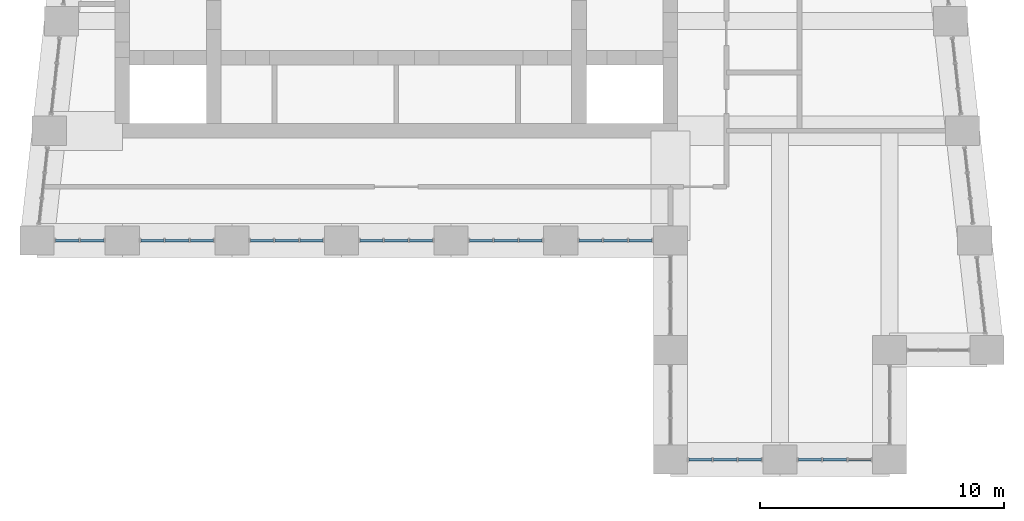
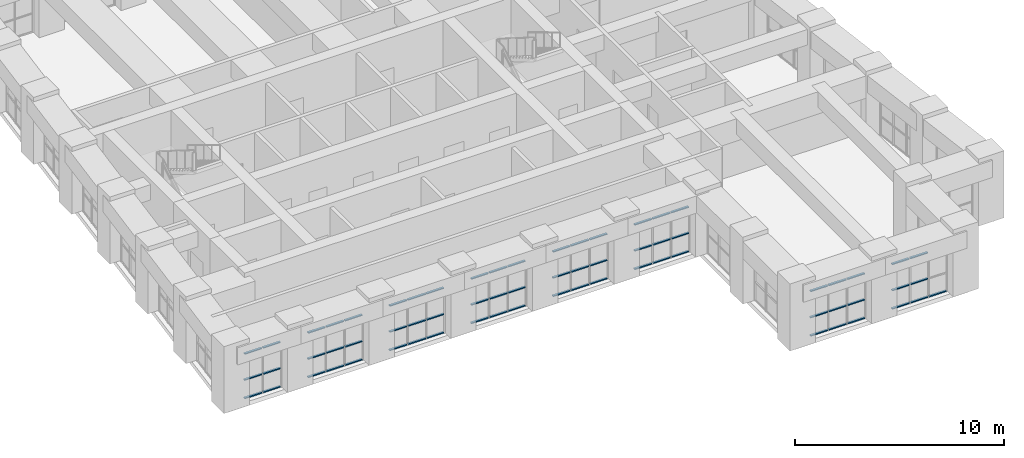
# One storey, part 10 of 18: 67 members, 8 elements without a shape of their own.
"""IFC4 building model written with IfcOpenShell, lengths in metres."""

from ifc_helpers import new_model, si_unit, direction, frame, origin, origin_2d, place, context, subcontext, project, spatial, rectangle, extrude, material, material_profile, profile_set, type_object, element, aggregate, save


model = new_model("IFC4")

# Units and contexts
model_context = context("Model", 3, precision=1e-05, world=origin(), true_north=direction((0.0, 1.0)))
body_context = subcontext(model_context, "Body", "Model", "MODEL_VIEW")
ifc_project = project(units=[si_unit("LENGTHUNIT", "METRE"), si_unit("AREAUNIT", "SQUARE_METRE"), si_unit("VOLUMEUNIT", "CUBIC_METRE"), si_unit("PLANEANGLEUNIT", "RADIAN"), si_unit("MASSUNIT", "GRAM", prefix="KILO")], contexts=[model_context])

# Site, building, storey
site_placement = place(None, origin())
site = spatial("IfcSite", under=ifc_project, at=site_placement, CompositionType="ELEMENT")
building_placement = place(site_placement, origin())
building = spatial("IfcBuilding", under=site, at=building_placement, Name="Kilele Tower Hotel", CompositionType="ELEMENT")
storey_placement = place(building_placement, frame((0.0, 0.0, 281.89990234375)))
storey = spatial("IfcBuildingStorey", under=building, at=storey_placement, Name="L72", CompositionType="ELEMENT", Elevation=281.89990234375)

# Curtain wall, members
ifc_material_1 = material(Name="Aluminium curtain wall, clear double glazing", Category="aluminium")
curtain_wall_type = type_object("IfcCurtainWallType", Name="Sky restaurant curtain wall CW-5", PredefinedType="NOTDEFINED", material=ifc_material_1)
curtain_wall_1_placement = place(storey_placement, origin())
curtain_wall_1 = element("IfcCurtainWall", 1, at=curtain_wall_1_placement, inside=storey, type_object=curtain_wall_type, Name="Sky restaurant curtain wall CW-5 L72", PredefinedType="NOTDEFINED")
ifc_material_2 = material(Name="Aluminium EN AW-6063 T6", Category="aluminium")
ifc_material_profile = material_profile(ifc_material_2, rectangle(XDim=0.1201171875, YDim=0.06005859375, at=origin_2d()))
ifc_profile_set = profile_set([ifc_material_profile], Name="Aluminium EN AW-6063 T6")
member_type = type_object("IfcMemberType", Name="Transom 60x120 CW-5", PredefinedType="USERDEFINED", material=ifc_profile_set)
member_1_placement = place(storey_placement, frame((10.760009765625, 9.0, 0.030029296875), z_axis=(1.0, 0.0, 0.0), x_axis=(0.0, 1.0, 0.0)))
member_1 = element("IfcMember", 2, at=member_1_placement, type_object=member_type, Name="CW-5 transom 1.1", ObjectType="TRANSOM", PredefinedType="USERDEFINED", context=body_context, shape_type="SweptSolid", body=[
    extrude(rectangle(XDim=0.1201171875, YDim=0.06005859375, at=origin_2d()), origin(), (0.0, 0.0, 1.0), 0.9599609375),
])
member_2_placement = place(storey_placement, frame((10.760009765625, 9.0, 1.10009765625), z_axis=(1.0, 0.0, 0.0), x_axis=(0.0, 1.0, 0.0)))
member_2 = element("IfcMember", 3, at=member_2_placement, type_object=member_type, Name="CW-5 transom 1.2", ObjectType="TRANSOM", PredefinedType="USERDEFINED", context=body_context, shape_type="SweptSolid", body=[
    extrude(rectangle(XDim=0.1201171875, YDim=0.06005859375, at=origin_2d()), origin(), (0.0, 0.0, 1.0), 0.9599609375),
])
member_3_placement = place(storey_placement, frame((10.760009765625, 9.0, 2.6201171875), z_axis=(1.0, 0.0, 0.0), x_axis=(0.0, 1.0, 0.0)))
member_3 = element("IfcMember", 4, at=member_3_placement, type_object=member_type, Name="CW-5 transom 1.3", ObjectType="TRANSOM", PredefinedType="USERDEFINED", context=body_context, shape_type="SweptSolid", body=[
    extrude(rectangle(XDim=0.1201171875, YDim=0.06005859375, at=origin_2d()), origin(), (0.0, 0.0, 1.0), 0.9599609375),
])
member_4_placement = place(storey_placement, frame((11.780029296875, 9.0, 0.030029296875), z_axis=(1.0, 0.0, 0.0), x_axis=(0.0, 1.0, 0.0)))
member_4 = element("IfcMember", 5, at=member_4_placement, type_object=member_type, Name="CW-5 transom 2.1", ObjectType="TRANSOM", PredefinedType="USERDEFINED", context=body_context, shape_type="SweptSolid", body=[
    extrude(rectangle(XDim=0.1201171875, YDim=0.06005859375, at=origin_2d()), origin(), (0.0, 0.0, 1.0), 0.9599609375),
])
member_5_placement = place(storey_placement, frame((11.780029296875, 9.0, 1.10009765625), z_axis=(1.0, 0.0, 0.0), x_axis=(0.0, 1.0, 0.0)))
member_5 = element("IfcMember", 6, at=member_5_placement, type_object=member_type, Name="CW-5 transom 2.2", ObjectType="TRANSOM", PredefinedType="USERDEFINED", context=body_context, shape_type="SweptSolid", body=[
    extrude(rectangle(XDim=0.1201171875, YDim=0.06005859375, at=origin_2d()), origin(), (0.0, 0.0, 1.0), 0.9599609375),
])
member_6_placement = place(storey_placement, frame((11.780029296875, 9.0, 2.6201171875), z_axis=(1.0, 0.0, 0.0), x_axis=(0.0, 1.0, 0.0)))
member_6 = element("IfcMember", 7, at=member_6_placement, type_object=member_type, Name="CW-5 transom 2.3", ObjectType="TRANSOM", PredefinedType="USERDEFINED", context=body_context, shape_type="SweptSolid", body=[
    extrude(rectangle(XDim=0.1201171875, YDim=0.06005859375, at=origin_2d()), origin(), (0.0, 0.0, 1.0), 0.9599609375),
])
aggregate(curtain_wall_1, [member_1, member_2, member_3, member_4, member_5, member_6])

curtain_wall_2_placement = place(storey_placement, origin())
curtain_wall_2 = element("IfcCurtainWall", 8, at=curtain_wall_2_placement, inside=storey, type_object=curtain_wall_type, Name="Sky restaurant curtain wall CW-5 L72", PredefinedType="NOTDEFINED")
member_7_placement = place(storey_placement, frame((14.260009765625, 9.0, 0.030029296875), z_axis=(1.0, 0.0, 0.0), x_axis=(0.0, 1.0, 0.0)))
member_7 = element("IfcMember", 9, at=member_7_placement, type_object=member_type, Name="CW-5 transom 1.1", ObjectType="TRANSOM", PredefinedType="USERDEFINED", context=body_context, shape_type="SweptSolid", body=[
    extrude(rectangle(XDim=0.1201171875, YDim=0.06005859375, at=origin_2d()), origin(), (0.0, 0.0, 1.0), 0.943359375),
])
member_8_placement = place(storey_placement, frame((14.260009765625, 9.0, 1.10009765625), z_axis=(1.0, 0.0, 0.0), x_axis=(0.0, 1.0, 0.0)))
member_8 = element("IfcMember", 10, at=member_8_placement, type_object=member_type, Name="CW-5 transom 1.2", ObjectType="TRANSOM", PredefinedType="USERDEFINED", context=body_context, shape_type="SweptSolid", body=[
    extrude(rectangle(XDim=0.1201171875, YDim=0.06005859375, at=origin_2d()), origin(), (0.0, 0.0, 1.0), 0.943359375),
])
member_9_placement = place(storey_placement, frame((14.260009765625, 9.0, 2.6201171875), z_axis=(1.0, 0.0, 0.0), x_axis=(0.0, 1.0, 0.0)))
member_9 = element("IfcMember", 11, at=member_9_placement, type_object=member_type, Name="CW-5 transom 1.3", ObjectType="TRANSOM", PredefinedType="USERDEFINED", context=body_context, shape_type="SweptSolid", body=[
    extrude(rectangle(XDim=0.1201171875, YDim=0.06005859375, at=origin_2d()), origin(), (0.0, 0.0, 1.0), 0.943359375),
])
member_10_placement = place(storey_placement, frame((15.263427734375, 9.0, 0.030029296875), z_axis=(1.0, 0.0, 0.0), x_axis=(0.0, 1.0, 0.0)))
member_10 = element("IfcMember", 12, at=member_10_placement, type_object=member_type, Name="CW-5 transom 2.1", ObjectType="TRANSOM", PredefinedType="USERDEFINED", context=body_context, shape_type="SweptSolid", body=[
    extrude(rectangle(XDim=0.1201171875, YDim=0.06005859375, at=origin_2d()), origin(), (0.0, 0.0, 1.0), 0.97314453125),
])
member_11_placement = place(storey_placement, frame((15.263427734375, 9.0, 1.10009765625), z_axis=(1.0, 0.0, 0.0), x_axis=(0.0, 1.0, 0.0)))
member_11 = element("IfcMember", 13, at=member_11_placement, type_object=member_type, Name="CW-5 transom 2.2", ObjectType="TRANSOM", PredefinedType="USERDEFINED", context=body_context, shape_type="SweptSolid", body=[
    extrude(rectangle(XDim=0.1201171875, YDim=0.06005859375, at=origin_2d()), origin(), (0.0, 0.0, 1.0), 0.97314453125),
])
member_12_placement = place(storey_placement, frame((15.263427734375, 9.0, 2.6201171875), z_axis=(1.0, 0.0, 0.0), x_axis=(0.0, 1.0, 0.0)))
member_12 = element("IfcMember", 14, at=member_12_placement, type_object=member_type, Name="CW-5 transom 2.3", ObjectType="TRANSOM", PredefinedType="USERDEFINED", context=body_context, shape_type="SweptSolid", body=[
    extrude(rectangle(XDim=0.1201171875, YDim=0.06005859375, at=origin_2d()), origin(), (0.0, 0.0, 1.0), 0.97314453125),
])
member_13_placement = place(storey_placement, frame((16.296630859375, 9.0, 0.030029296875), z_axis=(1.0, 0.0, 0.0), x_axis=(0.0, 1.0, 0.0)))
member_13 = element("IfcMember", 15, at=member_13_placement, type_object=member_type, Name="CW-5 transom 3.1", ObjectType="TRANSOM", PredefinedType="USERDEFINED", context=body_context, shape_type="SweptSolid", body=[
    extrude(rectangle(XDim=0.1201171875, YDim=0.06005859375, at=origin_2d()), origin(), (0.0, 0.0, 1.0), 0.943359375),
])
member_14_placement = place(storey_placement, frame((16.296630859375, 9.0, 1.10009765625), z_axis=(1.0, 0.0, 0.0), x_axis=(0.0, 1.0, 0.0)))
member_14 = element("IfcMember", 16, at=member_14_placement, type_object=member_type, Name="CW-5 transom 3.2", ObjectType="TRANSOM", PredefinedType="USERDEFINED", context=body_context, shape_type="SweptSolid", body=[
    extrude(rectangle(XDim=0.1201171875, YDim=0.06005859375, at=origin_2d()), origin(), (0.0, 0.0, 1.0), 0.943359375),
])
member_15_placement = place(storey_placement, frame((16.296630859375, 9.0, 2.6201171875), z_axis=(1.0, 0.0, 0.0), x_axis=(0.0, 1.0, 0.0)))
member_15 = element("IfcMember", 17, at=member_15_placement, type_object=member_type, Name="CW-5 transom 3.3", ObjectType="TRANSOM", PredefinedType="USERDEFINED", context=body_context, shape_type="SweptSolid", body=[
    extrude(rectangle(XDim=0.1201171875, YDim=0.06005859375, at=origin_2d()), origin(), (0.0, 0.0, 1.0), 0.943359375),
])
aggregate(curtain_wall_2, [member_7, member_8, member_9, member_10, member_11, member_12, member_13, member_14, member_15])

curtain_wall_3_placement = place(storey_placement, origin())
curtain_wall_3 = element("IfcCurtainWall", 18, at=curtain_wall_3_placement, inside=storey, type_object=curtain_wall_type, Name="Sky restaurant curtain wall CW-5 L72", PredefinedType="NOTDEFINED")
member_16_placement = place(storey_placement, frame((18.760009765625, 9.0, 0.030029296875), z_axis=(1.0, 0.0, 0.0), x_axis=(0.0, 1.0, 0.0)))
member_16 = element("IfcMember", 19, at=member_16_placement, type_object=member_type, Name="CW-5 transom 1.1", ObjectType="TRANSOM", PredefinedType="USERDEFINED", context=body_context, shape_type="SweptSolid", body=[
    extrude(rectangle(XDim=0.1201171875, YDim=0.06005859375, at=origin_2d()), origin(), (0.0, 0.0, 1.0), 0.943359375),
])
member_17_placement = place(storey_placement, frame((18.760009765625, 9.0, 1.10009765625), z_axis=(1.0, 0.0, 0.0), x_axis=(0.0, 1.0, 0.0)))
member_17 = element("IfcMember", 20, at=member_17_placement, type_object=member_type, Name="CW-5 transom 1.2", ObjectType="TRANSOM", PredefinedType="USERDEFINED", context=body_context, shape_type="SweptSolid", body=[
    extrude(rectangle(XDim=0.1201171875, YDim=0.06005859375, at=origin_2d()), origin(), (0.0, 0.0, 1.0), 0.943359375),
])
member_18_placement = place(storey_placement, frame((18.760009765625, 9.0, 2.6201171875), z_axis=(1.0, 0.0, 0.0), x_axis=(0.0, 1.0, 0.0)))
member_18 = element("IfcMember", 21, at=member_18_placement, type_object=member_type, Name="CW-5 transom 1.3", ObjectType="TRANSOM", PredefinedType="USERDEFINED", context=body_context, shape_type="SweptSolid", body=[
    extrude(rectangle(XDim=0.1201171875, YDim=0.06005859375, at=origin_2d()), origin(), (0.0, 0.0, 1.0), 0.943359375),
])
member_19_placement = place(storey_placement, frame((19.763427734375, 9.0, 0.030029296875), z_axis=(1.0, 0.0, 0.0), x_axis=(0.0, 1.0, 0.0)))
member_19 = element("IfcMember", 22, at=member_19_placement, type_object=member_type, Name="CW-5 transom 2.1", ObjectType="TRANSOM", PredefinedType="USERDEFINED", context=body_context, shape_type="SweptSolid", body=[
    extrude(rectangle(XDim=0.1201171875, YDim=0.06005859375, at=origin_2d()), origin(), (0.0, 0.0, 1.0), 0.97314453125),
])
member_20_placement = place(storey_placement, frame((19.763427734375, 9.0, 1.10009765625), z_axis=(1.0, 0.0, 0.0), x_axis=(0.0, 1.0, 0.0)))
member_20 = element("IfcMember", 23, at=member_20_placement, type_object=member_type, Name="CW-5 transom 2.2", ObjectType="TRANSOM", PredefinedType="USERDEFINED", context=body_context, shape_type="SweptSolid", body=[
    extrude(rectangle(XDim=0.1201171875, YDim=0.06005859375, at=origin_2d()), origin(), (0.0, 0.0, 1.0), 0.97314453125),
])
member_21_placement = place(storey_placement, frame((19.763427734375, 9.0, 2.6201171875), z_axis=(1.0, 0.0, 0.0), x_axis=(0.0, 1.0, 0.0)))
member_21 = element("IfcMember", 24, at=member_21_placement, type_object=member_type, Name="CW-5 transom 2.3", ObjectType="TRANSOM", PredefinedType="USERDEFINED", context=body_context, shape_type="SweptSolid", body=[
    extrude(rectangle(XDim=0.1201171875, YDim=0.06005859375, at=origin_2d()), origin(), (0.0, 0.0, 1.0), 0.97314453125),
])
member_22_placement = place(storey_placement, frame((20.796630859375, 9.0, 0.030029296875), z_axis=(1.0, 0.0, 0.0), x_axis=(0.0, 1.0, 0.0)))
member_22 = element("IfcMember", 25, at=member_22_placement, type_object=member_type, Name="CW-5 transom 3.1", ObjectType="TRANSOM", PredefinedType="USERDEFINED", context=body_context, shape_type="SweptSolid", body=[
    extrude(rectangle(XDim=0.1201171875, YDim=0.06005859375, at=origin_2d()), origin(), (0.0, 0.0, 1.0), 0.943359375),
])
member_23_placement = place(storey_placement, frame((20.796630859375, 9.0, 1.10009765625), z_axis=(1.0, 0.0, 0.0), x_axis=(0.0, 1.0, 0.0)))
member_23 = element("IfcMember", 26, at=member_23_placement, type_object=member_type, Name="CW-5 transom 3.2", ObjectType="TRANSOM", PredefinedType="USERDEFINED", context=body_context, shape_type="SweptSolid", body=[
    extrude(rectangle(XDim=0.1201171875, YDim=0.06005859375, at=origin_2d()), origin(), (0.0, 0.0, 1.0), 0.943359375),
])
member_24_placement = place(storey_placement, frame((20.796630859375, 9.0, 2.6201171875), z_axis=(1.0, 0.0, 0.0), x_axis=(0.0, 1.0, 0.0)))
member_24 = element("IfcMember", 27, at=member_24_placement, type_object=member_type, Name="CW-5 transom 3.3", ObjectType="TRANSOM", PredefinedType="USERDEFINED", context=body_context, shape_type="SweptSolid", body=[
    extrude(rectangle(XDim=0.1201171875, YDim=0.06005859375, at=origin_2d()), origin(), (0.0, 0.0, 1.0), 0.943359375),
])
aggregate(curtain_wall_3, [member_16, member_17, member_18, member_19, member_20, member_21, member_22, member_23, member_24])

curtain_wall_4_placement = place(storey_placement, origin())
curtain_wall_4 = element("IfcCurtainWall", 28, at=curtain_wall_4_placement, inside=storey, type_object=curtain_wall_type, Name="Sky restaurant curtain wall CW-5 L72", PredefinedType="NOTDEFINED")
member_25_placement = place(storey_placement, frame((23.260009765625, 9.0, 0.030029296875), z_axis=(1.0, 0.0, 0.0), x_axis=(0.0, 1.0, 0.0)))
member_25 = element("IfcMember", 29, at=member_25_placement, type_object=member_type, Name="CW-5 transom 1.1", ObjectType="TRANSOM", PredefinedType="USERDEFINED", context=body_context, shape_type="SweptSolid", body=[
    extrude(rectangle(XDim=0.1201171875, YDim=0.06005859375, at=origin_2d()), origin(), (0.0, 0.0, 1.0), 0.943359375),
])
member_26_placement = place(storey_placement, frame((23.260009765625, 9.0, 1.10009765625), z_axis=(1.0, 0.0, 0.0), x_axis=(0.0, 1.0, 0.0)))
member_26 = element("IfcMember", 30, at=member_26_placement, type_object=member_type, Name="CW-5 transom 1.2", ObjectType="TRANSOM", PredefinedType="USERDEFINED", context=body_context, shape_type="SweptSolid", body=[
    extrude(rectangle(XDim=0.1201171875, YDim=0.06005859375, at=origin_2d()), origin(), (0.0, 0.0, 1.0), 0.943359375),
])
member_27_placement = place(storey_placement, frame((23.260009765625, 9.0, 2.6201171875), z_axis=(1.0, 0.0, 0.0), x_axis=(0.0, 1.0, 0.0)))
member_27 = element("IfcMember", 31, at=member_27_placement, type_object=member_type, Name="CW-5 transom 1.3", ObjectType="TRANSOM", PredefinedType="USERDEFINED", context=body_context, shape_type="SweptSolid", body=[
    extrude(rectangle(XDim=0.1201171875, YDim=0.06005859375, at=origin_2d()), origin(), (0.0, 0.0, 1.0), 0.943359375),
])
member_28_placement = place(storey_placement, frame((24.263427734375, 9.0, 0.030029296875), z_axis=(1.0, 0.0, 0.0), x_axis=(0.0, 1.0, 0.0)))
member_28 = element("IfcMember", 32, at=member_28_placement, type_object=member_type, Name="CW-5 transom 2.1", ObjectType="TRANSOM", PredefinedType="USERDEFINED", context=body_context, shape_type="SweptSolid", body=[
    extrude(rectangle(XDim=0.1201171875, YDim=0.06005859375, at=origin_2d()), origin(), (0.0, 0.0, 1.0), 0.97314453125),
])
member_29_placement = place(storey_placement, frame((24.263427734375, 9.0, 1.10009765625), z_axis=(1.0, 0.0, 0.0), x_axis=(0.0, 1.0, 0.0)))
member_29 = element("IfcMember", 33, at=member_29_placement, type_object=member_type, Name="CW-5 transom 2.2", ObjectType="TRANSOM", PredefinedType="USERDEFINED", context=body_context, shape_type="SweptSolid", body=[
    extrude(rectangle(XDim=0.1201171875, YDim=0.06005859375, at=origin_2d()), origin(), (0.0, 0.0, 1.0), 0.97314453125),
])
member_30_placement = place(storey_placement, frame((24.263427734375, 9.0, 2.6201171875), z_axis=(1.0, 0.0, 0.0), x_axis=(0.0, 1.0, 0.0)))
member_30 = element("IfcMember", 34, at=member_30_placement, type_object=member_type, Name="CW-5 transom 2.3", ObjectType="TRANSOM", PredefinedType="USERDEFINED", context=body_context, shape_type="SweptSolid", body=[
    extrude(rectangle(XDim=0.1201171875, YDim=0.06005859375, at=origin_2d()), origin(), (0.0, 0.0, 1.0), 0.97314453125),
])
member_31_placement = place(storey_placement, frame((25.296630859375, 9.0, 0.030029296875), z_axis=(1.0, 0.0, 0.0), x_axis=(0.0, 1.0, 0.0)))
member_31 = element("IfcMember", 35, at=member_31_placement, type_object=member_type, Name="CW-5 transom 3.1", ObjectType="TRANSOM", PredefinedType="USERDEFINED", context=body_context, shape_type="SweptSolid", body=[
    extrude(rectangle(XDim=0.1201171875, YDim=0.06005859375, at=origin_2d()), origin(), (0.0, 0.0, 1.0), 0.943359375),
])
member_32_placement = place(storey_placement, frame((25.296630859375, 9.0, 1.10009765625), z_axis=(1.0, 0.0, 0.0), x_axis=(0.0, 1.0, 0.0)))
member_32 = element("IfcMember", 36, at=member_32_placement, type_object=member_type, Name="CW-5 transom 3.2", ObjectType="TRANSOM", PredefinedType="USERDEFINED", context=body_context, shape_type="SweptSolid", body=[
    extrude(rectangle(XDim=0.1201171875, YDim=0.06005859375, at=origin_2d()), origin(), (0.0, 0.0, 1.0), 0.943359375),
])
member_33_placement = place(storey_placement, frame((25.296630859375, 9.0, 2.6201171875), z_axis=(1.0, 0.0, 0.0), x_axis=(0.0, 1.0, 0.0)))
member_33 = element("IfcMember", 37, at=member_33_placement, type_object=member_type, Name="CW-5 transom 3.3", ObjectType="TRANSOM", PredefinedType="USERDEFINED", context=body_context, shape_type="SweptSolid", body=[
    extrude(rectangle(XDim=0.1201171875, YDim=0.06005859375, at=origin_2d()), origin(), (0.0, 0.0, 1.0), 0.943359375),
])
aggregate(curtain_wall_4, [member_25, member_26, member_27, member_28, member_29, member_30, member_31, member_32, member_33])

curtain_wall_5_placement = place(storey_placement, origin())
curtain_wall_5 = element("IfcCurtainWall", 38, at=curtain_wall_5_placement, inside=storey, type_object=curtain_wall_type, Name="Sky restaurant curtain wall CW-5 L72", PredefinedType="NOTDEFINED")
member_34_placement = place(storey_placement, frame((27.760009765625, 9.0, 0.030029296875), z_axis=(1.0, 0.0, 0.0), x_axis=(0.0, 1.0, 0.0)))
member_34 = element("IfcMember", 39, at=member_34_placement, type_object=member_type, Name="CW-5 transom 1.1", ObjectType="TRANSOM", PredefinedType="USERDEFINED", context=body_context, shape_type="SweptSolid", body=[
    extrude(rectangle(XDim=0.1201171875, YDim=0.06005859375, at=origin_2d()), origin(), (0.0, 0.0, 1.0), 0.943359375),
])
member_35_placement = place(storey_placement, frame((27.760009765625, 9.0, 1.10009765625), z_axis=(1.0, 0.0, 0.0), x_axis=(0.0, 1.0, 0.0)))
member_35 = element("IfcMember", 40, at=member_35_placement, type_object=member_type, Name="CW-5 transom 1.2", ObjectType="TRANSOM", PredefinedType="USERDEFINED", context=body_context, shape_type="SweptSolid", body=[
    extrude(rectangle(XDim=0.1201171875, YDim=0.06005859375, at=origin_2d()), origin(), (0.0, 0.0, 1.0), 0.943359375),
])
member_36_placement = place(storey_placement, frame((27.760009765625, 9.0, 2.6201171875), z_axis=(1.0, 0.0, 0.0), x_axis=(0.0, 1.0, 0.0)))
member_36 = element("IfcMember", 41, at=member_36_placement, type_object=member_type, Name="CW-5 transom 1.3", ObjectType="TRANSOM", PredefinedType="USERDEFINED", context=body_context, shape_type="SweptSolid", body=[
    extrude(rectangle(XDim=0.1201171875, YDim=0.06005859375, at=origin_2d()), origin(), (0.0, 0.0, 1.0), 0.943359375),
])
member_37_placement = place(storey_placement, frame((28.763427734375, 9.0, 0.030029296875), z_axis=(1.0, 0.0, 0.0), x_axis=(0.0, 1.0, 0.0)))
member_37 = element("IfcMember", 42, at=member_37_placement, type_object=member_type, Name="CW-5 transom 2.1", ObjectType="TRANSOM", PredefinedType="USERDEFINED", context=body_context, shape_type="SweptSolid", body=[
    extrude(rectangle(XDim=0.1201171875, YDim=0.06005859375, at=origin_2d()), origin(), (0.0, 0.0, 1.0), 0.97314453125),
])
member_38_placement = place(storey_placement, frame((28.763427734375, 9.0, 1.10009765625), z_axis=(1.0, 0.0, 0.0), x_axis=(0.0, 1.0, 0.0)))
member_38 = element("IfcMember", 43, at=member_38_placement, type_object=member_type, Name="CW-5 transom 2.2", ObjectType="TRANSOM", PredefinedType="USERDEFINED", context=body_context, shape_type="SweptSolid", body=[
    extrude(rectangle(XDim=0.1201171875, YDim=0.06005859375, at=origin_2d()), origin(), (0.0, 0.0, 1.0), 0.97314453125),
])
member_39_placement = place(storey_placement, frame((28.763427734375, 9.0, 2.6201171875), z_axis=(1.0, 0.0, 0.0), x_axis=(0.0, 1.0, 0.0)))
member_39 = element("IfcMember", 44, at=member_39_placement, type_object=member_type, Name="CW-5 transom 2.3", ObjectType="TRANSOM", PredefinedType="USERDEFINED", context=body_context, shape_type="SweptSolid", body=[
    extrude(rectangle(XDim=0.1201171875, YDim=0.06005859375, at=origin_2d()), origin(), (0.0, 0.0, 1.0), 0.97314453125),
])
member_40_placement = place(storey_placement, frame((29.796630859375, 9.0, 0.030029296875), z_axis=(1.0, 0.0, 0.0), x_axis=(0.0, 1.0, 0.0)))
member_40 = element("IfcMember", 45, at=member_40_placement, type_object=member_type, Name="CW-5 transom 3.1", ObjectType="TRANSOM", PredefinedType="USERDEFINED", context=body_context, shape_type="SweptSolid", body=[
    extrude(rectangle(XDim=0.1201171875, YDim=0.06005859375, at=origin_2d()), origin(), (0.0, 0.0, 1.0), 0.943359375),
])
member_41_placement = place(storey_placement, frame((29.796630859375, 9.0, 1.10009765625), z_axis=(1.0, 0.0, 0.0), x_axis=(0.0, 1.0, 0.0)))
member_41 = element("IfcMember", 46, at=member_41_placement, type_object=member_type, Name="CW-5 transom 3.2", ObjectType="TRANSOM", PredefinedType="USERDEFINED", context=body_context, shape_type="SweptSolid", body=[
    extrude(rectangle(XDim=0.1201171875, YDim=0.06005859375, at=origin_2d()), origin(), (0.0, 0.0, 1.0), 0.943359375),
])
member_42_placement = place(storey_placement, frame((29.796630859375, 9.0, 2.6201171875), z_axis=(1.0, 0.0, 0.0), x_axis=(0.0, 1.0, 0.0)))
member_42 = element("IfcMember", 47, at=member_42_placement, type_object=member_type, Name="CW-5 transom 3.3", ObjectType="TRANSOM", PredefinedType="USERDEFINED", context=body_context, shape_type="SweptSolid", body=[
    extrude(rectangle(XDim=0.1201171875, YDim=0.06005859375, at=origin_2d()), origin(), (0.0, 0.0, 1.0), 0.943359375),
])
aggregate(curtain_wall_5, [member_34, member_35, member_36, member_37, member_38, member_39, member_40, member_41, member_42])

curtain_wall_6_placement = place(storey_placement, origin())
curtain_wall_6 = element("IfcCurtainWall", 48, at=curtain_wall_6_placement, inside=storey, type_object=curtain_wall_type, Name="Sky restaurant curtain wall CW-5 L72", PredefinedType="NOTDEFINED")
member_43_placement = place(storey_placement, frame((32.260009765625, 9.0, 0.030029296875), z_axis=(1.0, 0.0, 0.0), x_axis=(0.0, 1.0, 0.0)))
member_43 = element("IfcMember", 49, at=member_43_placement, type_object=member_type, Name="CW-5 transom 1.1", ObjectType="TRANSOM", PredefinedType="USERDEFINED", context=body_context, shape_type="SweptSolid", body=[
    extrude(rectangle(XDim=0.1201171875, YDim=0.06005859375, at=origin_2d()), origin(), (0.0, 0.0, 1.0), 0.943359375),
])
member_44_placement = place(storey_placement, frame((32.260009765625, 9.0, 1.10009765625), z_axis=(1.0, 0.0, 0.0), x_axis=(0.0, 1.0, 0.0)))
member_44 = element("IfcMember", 50, at=member_44_placement, type_object=member_type, Name="CW-5 transom 1.2", ObjectType="TRANSOM", PredefinedType="USERDEFINED", context=body_context, shape_type="SweptSolid", body=[
    extrude(rectangle(XDim=0.1201171875, YDim=0.06005859375, at=origin_2d()), origin(), (0.0, 0.0, 1.0), 0.943359375),
])
member_45_placement = place(storey_placement, frame((32.260009765625, 9.0, 2.6201171875), z_axis=(1.0, 0.0, 0.0), x_axis=(0.0, 1.0, 0.0)))
member_45 = element("IfcMember", 51, at=member_45_placement, type_object=member_type, Name="CW-5 transom 1.3", ObjectType="TRANSOM", PredefinedType="USERDEFINED", context=body_context, shape_type="SweptSolid", body=[
    extrude(rectangle(XDim=0.1201171875, YDim=0.06005859375, at=origin_2d()), origin(), (0.0, 0.0, 1.0), 0.943359375),
])
member_46_placement = place(storey_placement, frame((33.263427734375, 9.0, 0.030029296875), z_axis=(1.0, 0.0, 0.0), x_axis=(0.0, 1.0, 0.0)))
member_46 = element("IfcMember", 52, at=member_46_placement, type_object=member_type, Name="CW-5 transom 2.1", ObjectType="TRANSOM", PredefinedType="USERDEFINED", context=body_context, shape_type="SweptSolid", body=[
    extrude(rectangle(XDim=0.1201171875, YDim=0.06005859375, at=origin_2d()), origin(), (0.0, 0.0, 1.0), 0.97314453125),
])
member_47_placement = place(storey_placement, frame((33.263427734375, 9.0, 1.10009765625), z_axis=(1.0, 0.0, 0.0), x_axis=(0.0, 1.0, 0.0)))
member_47 = element("IfcMember", 53, at=member_47_placement, type_object=member_type, Name="CW-5 transom 2.2", ObjectType="TRANSOM", PredefinedType="USERDEFINED", context=body_context, shape_type="SweptSolid", body=[
    extrude(rectangle(XDim=0.1201171875, YDim=0.06005859375, at=origin_2d()), origin(), (0.0, 0.0, 1.0), 0.97314453125),
])
member_48_placement = place(storey_placement, frame((33.263427734375, 9.0, 2.6201171875), z_axis=(1.0, 0.0, 0.0), x_axis=(0.0, 1.0, 0.0)))
member_48 = element("IfcMember", 54, at=member_48_placement, type_object=member_type, Name="CW-5 transom 2.3", ObjectType="TRANSOM", PredefinedType="USERDEFINED", context=body_context, shape_type="SweptSolid", body=[
    extrude(rectangle(XDim=0.1201171875, YDim=0.06005859375, at=origin_2d()), origin(), (0.0, 0.0, 1.0), 0.97314453125),
])
member_49_placement = place(storey_placement, frame((34.296630859375, 9.0, 0.030029296875), z_axis=(1.0, 0.0, 0.0), x_axis=(0.0, 1.0, 0.0)))
member_49 = element("IfcMember", 55, at=member_49_placement, type_object=member_type, Name="CW-5 transom 3.1", ObjectType="TRANSOM", PredefinedType="USERDEFINED", context=body_context, shape_type="SweptSolid", body=[
    extrude(rectangle(XDim=0.1201171875, YDim=0.06005859375, at=origin_2d()), origin(), (0.0, 0.0, 1.0), 0.943359375),
])
member_50_placement = place(storey_placement, frame((34.296630859375, 9.0, 1.10009765625), z_axis=(1.0, 0.0, 0.0), x_axis=(0.0, 1.0, 0.0)))
member_50 = element("IfcMember", 56, at=member_50_placement, type_object=member_type, Name="CW-5 transom 3.2", ObjectType="TRANSOM", PredefinedType="USERDEFINED", context=body_context, shape_type="SweptSolid", body=[
    extrude(rectangle(XDim=0.1201171875, YDim=0.06005859375, at=origin_2d()), origin(), (0.0, 0.0, 1.0), 0.943359375),
])
member_51_placement = place(storey_placement, frame((34.296630859375, 9.0, 2.6201171875), z_axis=(1.0, 0.0, 0.0), x_axis=(0.0, 1.0, 0.0)))
member_51 = element("IfcMember", 57, at=member_51_placement, type_object=member_type, Name="CW-5 transom 3.3", ObjectType="TRANSOM", PredefinedType="USERDEFINED", context=body_context, shape_type="SweptSolid", body=[
    extrude(rectangle(XDim=0.1201171875, YDim=0.06005859375, at=origin_2d()), origin(), (0.0, 0.0, 1.0), 0.943359375),
])
aggregate(curtain_wall_6, [member_43, member_44, member_45, member_46, member_47, member_48, member_49, member_50, member_51])

curtain_wall_7_placement = place(storey_placement, origin())
curtain_wall_7 = element("IfcCurtainWall", 58, at=curtain_wall_7_placement, inside=storey, type_object=curtain_wall_type, Name="Sky restaurant curtain wall CW-5 L72", PredefinedType="NOTDEFINED")
member_52_placement = place(storey_placement, frame((36.760009765625, 0.0, 0.030029296875), z_axis=(1.0, 0.0, 0.0), x_axis=(0.0, 1.0, 0.0)))
member_52 = element("IfcMember", 59, at=member_52_placement, type_object=member_type, Name="CW-5 transom 1.1", ObjectType="TRANSOM", PredefinedType="USERDEFINED", context=body_context, shape_type="SweptSolid", body=[
    extrude(rectangle(XDim=0.1201171875, YDim=0.06005859375, at=origin_2d()), origin(), (0.0, 0.0, 1.0), 0.943359375),
])
member_53_placement = place(storey_placement, frame((36.760009765625, 0.0, 1.10009765625), z_axis=(1.0, 0.0, 0.0), x_axis=(0.0, 1.0, 0.0)))
member_53 = element("IfcMember", 60, at=member_53_placement, type_object=member_type, Name="CW-5 transom 1.2", ObjectType="TRANSOM", PredefinedType="USERDEFINED", context=body_context, shape_type="SweptSolid", body=[
    extrude(rectangle(XDim=0.1201171875, YDim=0.06005859375, at=origin_2d()), origin(), (0.0, 0.0, 1.0), 0.943359375),
])
member_54_placement = place(storey_placement, frame((36.760009765625, 0.0, 2.6201171875), z_axis=(1.0, 0.0, 0.0), x_axis=(0.0, 1.0, 0.0)))
member_54 = element("IfcMember", 61, at=member_54_placement, type_object=member_type, Name="CW-5 transom 1.3", ObjectType="TRANSOM", PredefinedType="USERDEFINED", context=body_context, shape_type="SweptSolid", body=[
    extrude(rectangle(XDim=0.1201171875, YDim=0.06005859375, at=origin_2d()), origin(), (0.0, 0.0, 1.0), 0.943359375),
])
member_55_placement = place(storey_placement, frame((37.763427734375, 0.0, 0.030029296875), z_axis=(1.0, 0.0, 0.0), x_axis=(0.0, 1.0, 0.0)))
member_55 = element("IfcMember", 62, at=member_55_placement, type_object=member_type, Name="CW-5 transom 2.1", ObjectType="TRANSOM", PredefinedType="USERDEFINED", context=body_context, shape_type="SweptSolid", body=[
    extrude(rectangle(XDim=0.1201171875, YDim=0.06005859375, at=origin_2d()), origin(), (0.0, 0.0, 1.0), 0.97314453125),
])
member_56_placement = place(storey_placement, frame((37.763427734375, 0.0, 1.10009765625), z_axis=(1.0, 0.0, 0.0), x_axis=(0.0, 1.0, 0.0)))
member_56 = element("IfcMember", 63, at=member_56_placement, type_object=member_type, Name="CW-5 transom 2.2", ObjectType="TRANSOM", PredefinedType="USERDEFINED", context=body_context, shape_type="SweptSolid", body=[
    extrude(rectangle(XDim=0.1201171875, YDim=0.06005859375, at=origin_2d()), origin(), (0.0, 0.0, 1.0), 0.97314453125),
])
member_57_placement = place(storey_placement, frame((37.763427734375, 0.0, 2.6201171875), z_axis=(1.0, 0.0, 0.0), x_axis=(0.0, 1.0, 0.0)))
member_57 = element("IfcMember", 64, at=member_57_placement, type_object=member_type, Name="CW-5 transom 2.3", ObjectType="TRANSOM", PredefinedType="USERDEFINED", context=body_context, shape_type="SweptSolid", body=[
    extrude(rectangle(XDim=0.1201171875, YDim=0.06005859375, at=origin_2d()), origin(), (0.0, 0.0, 1.0), 0.97314453125),
])
member_58_placement = place(storey_placement, frame((38.796630859375, 0.0, 0.030029296875), z_axis=(1.0, 0.0, 0.0), x_axis=(0.0, 1.0, 0.0)))
member_58 = element("IfcMember", 65, at=member_58_placement, type_object=member_type, Name="CW-5 transom 3.1", ObjectType="TRANSOM", PredefinedType="USERDEFINED", context=body_context, shape_type="SweptSolid", body=[
    extrude(rectangle(XDim=0.1201171875, YDim=0.06005859375, at=origin_2d()), origin(), (0.0, 0.0, 1.0), 0.943359375),
])
member_59_placement = place(storey_placement, frame((38.796630859375, 0.0, 1.10009765625), z_axis=(1.0, 0.0, 0.0), x_axis=(0.0, 1.0, 0.0)))
member_59 = element("IfcMember", 66, at=member_59_placement, type_object=member_type, Name="CW-5 transom 3.2", ObjectType="TRANSOM", PredefinedType="USERDEFINED", context=body_context, shape_type="SweptSolid", body=[
    extrude(rectangle(XDim=0.1201171875, YDim=0.06005859375, at=origin_2d()), origin(), (0.0, 0.0, 1.0), 0.943359375),
])
member_60_placement = place(storey_placement, frame((38.796630859375, 0.0, 2.6201171875), z_axis=(1.0, 0.0, 0.0), x_axis=(0.0, 1.0, 0.0)))
member_60 = element("IfcMember", 67, at=member_60_placement, type_object=member_type, Name="CW-5 transom 3.3", ObjectType="TRANSOM", PredefinedType="USERDEFINED", context=body_context, shape_type="SweptSolid", body=[
    extrude(rectangle(XDim=0.1201171875, YDim=0.06005859375, at=origin_2d()), origin(), (0.0, 0.0, 1.0), 0.943359375),
])
aggregate(curtain_wall_7, [member_52, member_53, member_54, member_55, member_56, member_57, member_58, member_59, member_60])

curtain_wall_8_placement = place(storey_placement, origin())
curtain_wall_8 = element("IfcCurtainWall", 68, at=curtain_wall_8_placement, inside=storey, type_object=curtain_wall_type, Name="Sky restaurant curtain wall CW-5 L72", PredefinedType="NOTDEFINED")
member_61_placement = place(storey_placement, frame((41.260009765625, 0.0, 0.030029296875), z_axis=(1.0, 0.0, 0.0), x_axis=(0.0, 1.0, 0.0)))
member_61 = element("IfcMember", 69, at=member_61_placement, type_object=member_type, Name="CW-5 transom 1.1", ObjectType="TRANSOM", PredefinedType="USERDEFINED", context=body_context, shape_type="SweptSolid", body=[
    extrude(rectangle(XDim=0.1201171875, YDim=0.06005859375, at=origin_2d()), origin(), (0.0, 0.0, 1.0), 0.943359375),
])
member_62_placement = place(storey_placement, frame((41.260009765625, 0.0, 1.10009765625), z_axis=(1.0, 0.0, 0.0), x_axis=(0.0, 1.0, 0.0)))
member_62 = element("IfcMember", 70, at=member_62_placement, type_object=member_type, Name="CW-5 transom 1.2", ObjectType="TRANSOM", PredefinedType="USERDEFINED", context=body_context, shape_type="SweptSolid", body=[
    extrude(rectangle(XDim=0.1201171875, YDim=0.06005859375, at=origin_2d()), origin(), (0.0, 0.0, 1.0), 0.943359375),
])
member_63_placement = place(storey_placement, frame((41.260009765625, 0.0, 2.6201171875), z_axis=(1.0, 0.0, 0.0), x_axis=(0.0, 1.0, 0.0)))
member_63 = element("IfcMember", 71, at=member_63_placement, type_object=member_type, Name="CW-5 transom 1.3", ObjectType="TRANSOM", PredefinedType="USERDEFINED", context=body_context, shape_type="SweptSolid", body=[
    extrude(rectangle(XDim=0.1201171875, YDim=0.06005859375, at=origin_2d()), origin(), (0.0, 0.0, 1.0), 0.943359375),
])
member_64_placement = place(storey_placement, frame((42.263427734375, 0.0, 0.030029296875), z_axis=(1.0, 0.0, 0.0), x_axis=(0.0, 1.0, 0.0)))
member_64 = element("IfcMember", 72, at=member_64_placement, type_object=member_type, Name="CW-5 transom 2.1", ObjectType="TRANSOM", PredefinedType="USERDEFINED", context=body_context, shape_type="SweptSolid", body=[
    extrude(rectangle(XDim=0.1201171875, YDim=0.06005859375, at=origin_2d()), origin(), (0.0, 0.0, 1.0), 0.97314453125),
])
member_65_placement = place(storey_placement, frame((42.263427734375, 0.0, 1.10009765625), z_axis=(1.0, 0.0, 0.0), x_axis=(0.0, 1.0, 0.0)))
member_65 = element("IfcMember", 73, at=member_65_placement, type_object=member_type, Name="CW-5 transom 2.2", ObjectType="TRANSOM", PredefinedType="USERDEFINED", context=body_context, shape_type="SweptSolid", body=[
    extrude(rectangle(XDim=0.1201171875, YDim=0.06005859375, at=origin_2d()), origin(), (0.0, 0.0, 1.0), 0.97314453125),
])
member_66_placement = place(storey_placement, frame((42.263427734375, 0.0, 2.6201171875), z_axis=(1.0, 0.0, 0.0), x_axis=(0.0, 1.0, 0.0)))
member_66 = element("IfcMember", 74, at=member_66_placement, type_object=member_type, Name="CW-5 transom 2.3", ObjectType="TRANSOM", PredefinedType="USERDEFINED", context=body_context, shape_type="SweptSolid", body=[
    extrude(rectangle(XDim=0.1201171875, YDim=0.06005859375, at=origin_2d()), origin(), (0.0, 0.0, 1.0), 0.97314453125),
])
member_67_placement = place(storey_placement, frame((43.296630859375, 0.0, 0.030029296875), z_axis=(1.0, 0.0, 0.0), x_axis=(0.0, 1.0, 0.0)))
member_67 = element("IfcMember", 75, at=member_67_placement, type_object=member_type, Name="CW-5 transom 3.1", ObjectType="TRANSOM", PredefinedType="USERDEFINED", context=body_context, shape_type="SweptSolid", body=[
    extrude(rectangle(XDim=0.1201171875, YDim=0.06005859375, at=origin_2d()), origin(), (0.0, 0.0, 1.0), 0.943359375),
])
aggregate(curtain_wall_8, [member_61, member_62, member_63, member_64, member_65, member_66, member_67])

save(model, "model.ifc")
